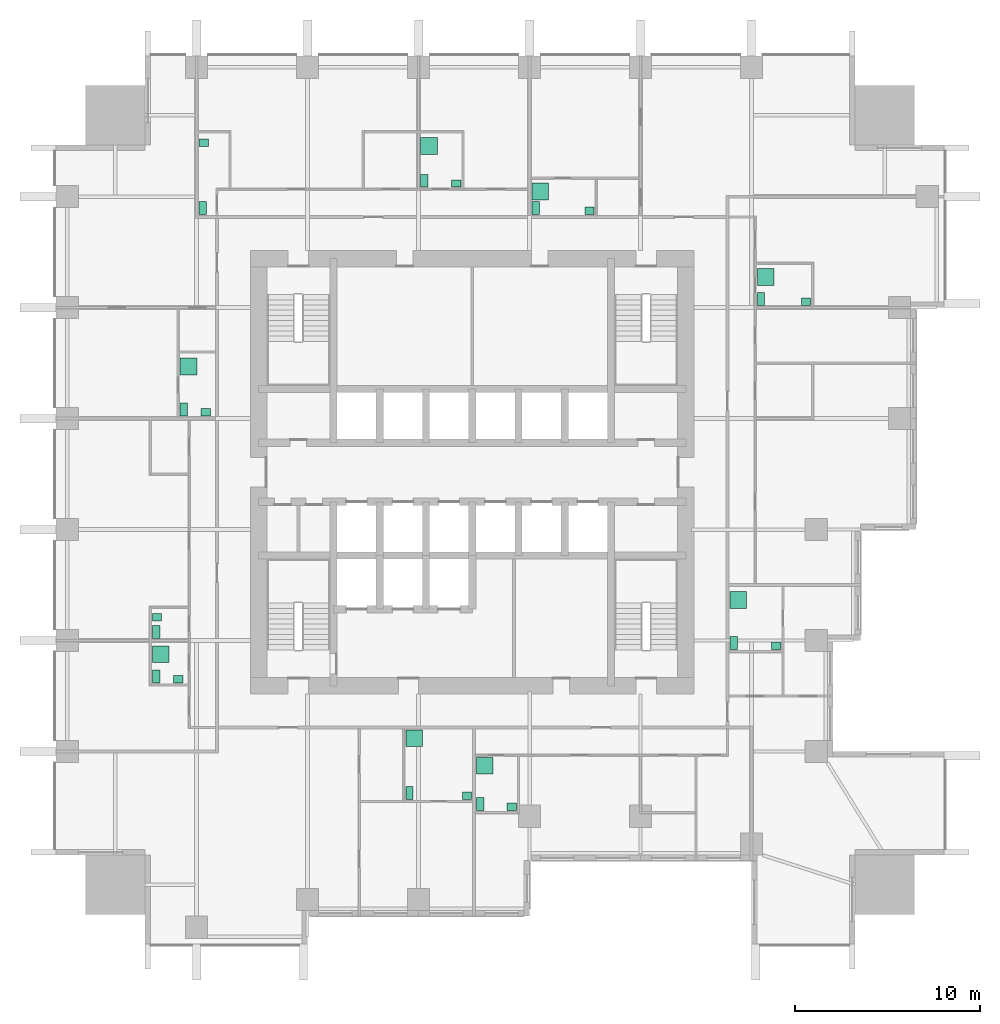
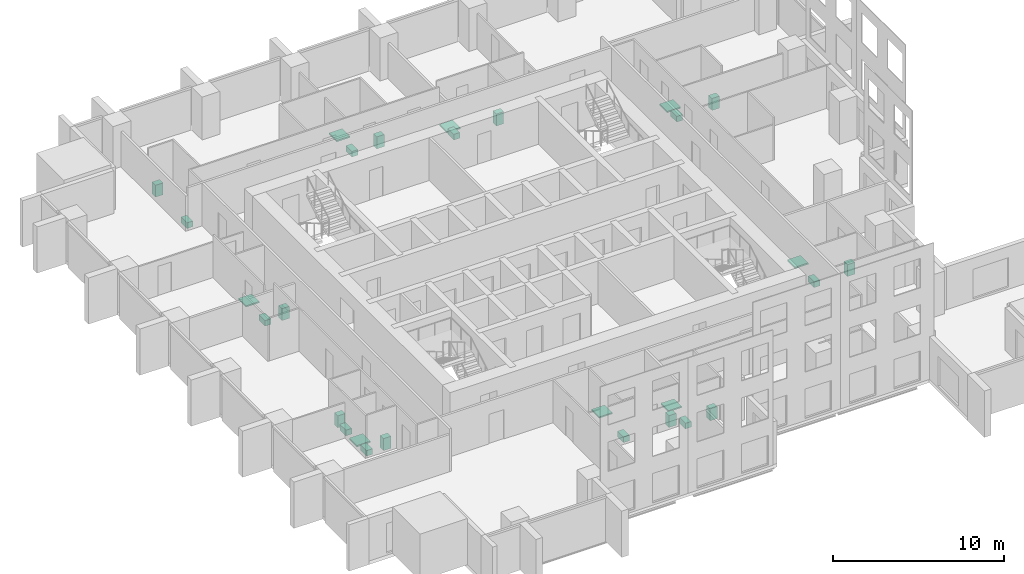
# One storey, part 11 of 11: 28 sanitary terminals.
"""IFC4 building model written with IfcOpenShell, lengths in metres."""

from ifc_helpers import new_model, si_unit, direction, frame, origin, origin_2d, place, context, subcontext, project, spatial, rectangle, extrude, element, save


model = new_model("IFC4")

# Units and contexts
model_context = context("Model", 3, precision=1e-05, world=origin(), true_north=direction((0.0, 1.0)))
body_context = subcontext(model_context, "Body", "Model", "MODEL_VIEW")
ifc_project = project(units=[si_unit("LENGTHUNIT", "METRE"), si_unit("AREAUNIT", "SQUARE_METRE"), si_unit("VOLUMEUNIT", "CUBIC_METRE"), si_unit("PLANEANGLEUNIT", "RADIAN"), si_unit("MASSUNIT", "GRAM", prefix="KILO")], contexts=[model_context])

# Site, building, storey
site_placement = place(None, origin())
site = spatial("IfcSite", under=ifc_project, at=site_placement, CompositionType="ELEMENT")
building_placement = place(site_placement, origin())
building = spatial("IfcBuilding", under=site, at=building_placement, Name="Amberfall Residences", CompositionType="ELEMENT")
storey_placement = place(building_placement, frame((0.0, 0.0, 33.39990234375)))
storey = spatial("IfcBuildingStorey", under=building, at=storey_placement, Name="L08", CompositionType="ELEMENT", Elevation=33.39990234375)

# Sanitary terminals
sanitary_terminal_1_placement = place(storey_placement, frame((71.110107421875, 28.159912109375, 0.000244140625), z_axis=(0.0, 0.0, 1.0), x_axis=(1.0, 0.0, 0.0)))
element("IfcSanitaryTerminal", 1, at=sanitary_terminal_1_placement, inside=storey, Name="Water closet 0801", PredefinedType="TOILETPAN", context=body_context, shape_type="SweptSolid", body=[
    extrude(rectangle(XDim=0.39990234375, YDim=0.699951171875, at=origin_2d()), origin(), (0.0, 0.0, 1.0), 0.39990234375),
])
sanitary_terminal_2_placement = place(storey_placement, frame((74.215087890625, 28.010009765625, 0.0), z_axis=(0.0, 0.0, 1.0), x_axis=(1.0, 0.0, 0.0)))
element("IfcSanitaryTerminal", 2, at=sanitary_terminal_2_placement, inside=storey, Name="Basin 0801", PredefinedType="WASHHANDBASIN", context=body_context, shape_type="SweptSolid", body=[
    extrude(rectangle(XDim=0.5, YDim=0.39990234375, at=origin_2d()), origin(), (0.0, 0.0, 1.0), 0.85009765625),
])
sanitary_terminal_3_placement = place(storey_placement, frame((71.360107421875, 31.114990234375, 0.0), z_axis=(0.0, 0.0, 1.0), x_axis=(1.0, 0.0, 0.0)))
element("IfcSanitaryTerminal", 3, at=sanitary_terminal_3_placement, inside=storey, Name="Shower tray 0801", PredefinedType="SHOWER", context=body_context, shape_type="SweptSolid", body=[
    extrude(rectangle(XDim=0.89990234375, YDim=0.89990234375, at=origin_2d()), origin(), (0.0, 0.0, 1.0), 0.10009765625),
])
sanitary_terminal_4_placement = place(storey_placement, frame((74.93505859375, 27.56005859375, 0.000244140625), z_axis=(0.0, 0.0, 1.0), x_axis=(1.0, 0.0, 0.0)))
element("IfcSanitaryTerminal", 4, at=sanitary_terminal_4_placement, inside=storey, Name="Water closet 0802", PredefinedType="TOILETPAN", context=body_context, shape_type="SweptSolid", body=[
    extrude(rectangle(XDim=0.39990234375, YDim=0.699951171875, at=origin_2d()), origin(), (0.0, 0.0, 1.0), 0.39990234375),
])
sanitary_terminal_5_placement = place(storey_placement, frame((76.639892578125, 27.409912109375, 0.0), z_axis=(0.0, 0.0, 1.0), x_axis=(1.0, 0.0, 0.0)))
element("IfcSanitaryTerminal", 5, at=sanitary_terminal_5_placement, inside=storey, Name="Basin 0802", PredefinedType="WASHHANDBASIN", context=body_context, shape_type="SweptSolid", body=[
    extrude(rectangle(XDim=0.5, YDim=0.39990234375, at=origin_2d()), origin(), (0.0, 0.0, 1.0), 0.85009765625),
])
sanitary_terminal_6_placement = place(storey_placement, frame((75.18505859375, 29.639892578125, 0.0), z_axis=(0.0, 0.0, 1.0), x_axis=(1.0, 0.0, 0.0)))
element("IfcSanitaryTerminal", 6, at=sanitary_terminal_6_placement, inside=storey, Name="Shower tray 0802", PredefinedType="SHOWER", context=body_context, shape_type="SweptSolid", body=[
    extrude(rectangle(XDim=0.89990234375, YDim=0.89990234375, at=origin_2d()), origin(), (0.0, 0.0, 1.0), 0.10009765625),
])
sanitary_terminal_7_placement = place(storey_placement, frame((88.635009765625, 36.260009765625, 0.000244140625), z_axis=(0.0, 0.0, 1.0), x_axis=(1.0, 0.0, 0.0)))
element("IfcSanitaryTerminal", 7, at=sanitary_terminal_7_placement, inside=storey, Name="Water closet 0803", PredefinedType="TOILETPAN", context=body_context, shape_type="SweptSolid", body=[
    extrude(rectangle(XDim=0.39990234375, YDim=0.699951171875, at=origin_2d()), origin(), (0.0, 0.0, 1.0), 0.39990234375),
])
sanitary_terminal_8_placement = place(storey_placement, frame((90.93994140625, 36.110107421875, 0.0), z_axis=(0.0, 0.0, 1.0), x_axis=(1.0, 0.0, 0.0)))
element("IfcSanitaryTerminal", 8, at=sanitary_terminal_8_placement, inside=storey, Name="Basin 0803", PredefinedType="WASHHANDBASIN", context=body_context, shape_type="SweptSolid", body=[
    extrude(rectangle(XDim=0.5, YDim=0.39990234375, at=origin_2d()), origin(), (0.0, 0.0, 1.0), 0.85009765625),
])
sanitary_terminal_9_placement = place(storey_placement, frame((88.885009765625, 38.591796875, 0.0), z_axis=(0.0, 0.0, 1.0), x_axis=(1.0, 0.0, 0.0)))
element("IfcSanitaryTerminal", 9, at=sanitary_terminal_9_placement, inside=storey, Name="Shower tray 0803", PredefinedType="SHOWER", context=body_context, shape_type="SweptSolid", body=[
    extrude(rectangle(XDim=0.89990234375, YDim=0.89990234375, at=origin_2d()), origin(), (0.0, 0.0, 1.0), 0.10009765625),
])
sanitary_terminal_10_placement = place(storey_placement, frame((90.110107421875, 54.860107421875, 0.000244140625), z_axis=(0.0, 0.0, 1.0), x_axis=(1.0, 0.0, 0.0)))
element("IfcSanitaryTerminal", 10, at=sanitary_terminal_10_placement, inside=storey, Name="Water closet 0804", PredefinedType="TOILETPAN", context=body_context, shape_type="SweptSolid", body=[
    extrude(rectangle(XDim=0.39990234375, YDim=0.699951171875, at=origin_2d()), origin(), (0.0, 0.0, 1.0), 0.39990234375),
])
sanitary_terminal_11_placement = place(storey_placement, frame((92.5400390625, 54.7099609375, 0.0), z_axis=(0.0, 0.0, 1.0), x_axis=(1.0, 0.0, 0.0)))
element("IfcSanitaryTerminal", 11, at=sanitary_terminal_11_placement, inside=storey, Name="Basin 0804", PredefinedType="WASHHANDBASIN", context=body_context, shape_type="SweptSolid", body=[
    extrude(rectangle(XDim=0.5, YDim=0.39990234375, at=origin_2d()), origin(), (0.0, 0.0, 1.0), 0.85009765625),
])
sanitary_terminal_12_placement = place(storey_placement, frame((90.360107421875, 56.05712890625, 0.0), z_axis=(0.0, 0.0, 1.0), x_axis=(1.0, 0.0, 0.0)))
element("IfcSanitaryTerminal", 12, at=sanitary_terminal_12_placement, inside=storey, Name="Shower tray 0804", PredefinedType="SHOWER", context=body_context, shape_type="SweptSolid", body=[
    extrude(rectangle(XDim=0.89990234375, YDim=0.89990234375, at=origin_2d()), origin(), (0.0, 0.0, 1.0), 0.10009765625),
])
sanitary_terminal_13_placement = place(storey_placement, frame((59.93505859375, 59.784912109375, 0.000244140625), z_axis=(0.0, 0.0, 1.0), x_axis=(1.0, 0.0, 0.0)))
element("IfcSanitaryTerminal", 13, at=sanitary_terminal_13_placement, inside=storey, Name="Water closet 0805 1", PredefinedType="TOILETPAN", context=body_context, shape_type="SweptSolid", body=[
    extrude(rectangle(XDim=0.39990234375, YDim=0.699951171875, at=origin_2d()), origin(), (0.0, 0.0, 1.0), 0.39990234375),
])
sanitary_terminal_14_placement = place(storey_placement, frame((59.985107421875, 63.3076171875, 0.0), z_axis=(0.0, 0.0, 1.0), x_axis=(1.0, 0.0, 0.0)))
element("IfcSanitaryTerminal", 14, at=sanitary_terminal_14_placement, inside=storey, Name="Basin 0805 1", PredefinedType="WASHHANDBASIN", context=body_context, shape_type="SweptSolid", body=[
    extrude(rectangle(XDim=0.5, YDim=0.39990234375, at=origin_2d()), origin(), (0.0, 0.0, 1.0), 0.85009765625),
])
sanitary_terminal_15_placement = place(storey_placement, frame((71.909912109375, 61.260009765625, 0.000244140625), z_axis=(0.0, 0.0, 1.0), x_axis=(1.0, 0.0, 0.0)))
element("IfcSanitaryTerminal", 15, at=sanitary_terminal_15_placement, inside=storey, Name="Water closet 0805", PredefinedType="TOILETPAN", context=body_context, shape_type="SweptSolid", body=[
    extrude(rectangle(XDim=0.39990234375, YDim=0.699951171875, at=origin_2d()), origin(), (0.0, 0.0, 1.0), 0.39990234375),
])
sanitary_terminal_16_placement = place(storey_placement, frame((73.639892578125, 61.110107421875, 0.0), z_axis=(0.0, 0.0, 1.0), x_axis=(1.0, 0.0, 0.0)))
element("IfcSanitaryTerminal", 16, at=sanitary_terminal_16_placement, inside=storey, Name="Basin 0805", PredefinedType="WASHHANDBASIN", context=body_context, shape_type="SweptSolid", body=[
    extrude(rectangle(XDim=0.5, YDim=0.39990234375, at=origin_2d()), origin(), (0.0, 0.0, 1.0), 0.85009765625),
])
sanitary_terminal_17_placement = place(storey_placement, frame((72.159912109375, 63.14208984375, 0.0), z_axis=(0.0, 0.0, 1.0), x_axis=(1.0, 0.0, 0.0)))
element("IfcSanitaryTerminal", 17, at=sanitary_terminal_17_placement, inside=storey, Name="Shower tray 0805", PredefinedType="SHOWER", context=body_context, shape_type="SweptSolid", body=[
    extrude(rectangle(XDim=0.89990234375, YDim=0.89990234375, at=origin_2d()), origin(), (0.0, 0.0, 1.0), 0.10009765625),
])
sanitary_terminal_18_placement = place(storey_placement, frame((77.93505859375, 59.784912109375, 0.000244140625), z_axis=(0.0, 0.0, 1.0), x_axis=(1.0, 0.0, 0.0)))
element("IfcSanitaryTerminal", 18, at=sanitary_terminal_18_placement, inside=storey, Name="Water closet 0806", PredefinedType="TOILETPAN", context=body_context, shape_type="SweptSolid", body=[
    extrude(rectangle(XDim=0.39990234375, YDim=0.699951171875, at=origin_2d()), origin(), (0.0, 0.0, 1.0), 0.39990234375),
])
sanitary_terminal_19_placement = place(storey_placement, frame((80.840087890625, 59.635009765625, 0.0), z_axis=(0.0, 0.0, 1.0), x_axis=(1.0, 0.0, 0.0)))
element("IfcSanitaryTerminal", 19, at=sanitary_terminal_19_placement, inside=storey, Name="Basin 0806", PredefinedType="WASHHANDBASIN", context=body_context, shape_type="SweptSolid", body=[
    extrude(rectangle(XDim=0.5, YDim=0.39990234375, at=origin_2d()), origin(), (0.0, 0.0, 1.0), 0.85009765625),
])
sanitary_terminal_20_placement = place(storey_placement, frame((78.18505859375, 60.680908203125, 0.0), z_axis=(0.0, 0.0, 1.0), x_axis=(1.0, 0.0, 0.0)))
element("IfcSanitaryTerminal", 20, at=sanitary_terminal_20_placement, inside=storey, Name="Shower tray 0806", PredefinedType="SHOWER", context=body_context, shape_type="SweptSolid", body=[
    extrude(rectangle(XDim=0.89990234375, YDim=0.89990234375, at=origin_2d()), origin(), (0.0, 0.0, 1.0), 0.10009765625),
])
sanitary_terminal_21_placement = place(storey_placement, frame((57.409912109375, 36.860107421875, 0.000244140625), z_axis=(0.0, 0.0, 1.0), x_axis=(1.0, 0.0, 0.0)))
element("IfcSanitaryTerminal", 21, at=sanitary_terminal_21_placement, inside=storey, Name="Water closet 0807 1", PredefinedType="TOILETPAN", context=body_context, shape_type="SweptSolid", body=[
    extrude(rectangle(XDim=0.39990234375, YDim=0.699951171875, at=origin_2d()), origin(), (0.0, 0.0, 1.0), 0.39990234375),
])
sanitary_terminal_22_placement = place(storey_placement, frame((57.4599609375, 37.654052734375, 0.0), z_axis=(0.0, 0.0, 1.0), x_axis=(1.0, 0.0, 0.0)))
element("IfcSanitaryTerminal", 22, at=sanitary_terminal_22_placement, inside=storey, Name="Basin 0807 1", PredefinedType="WASHHANDBASIN", context=body_context, shape_type="SweptSolid", body=[
    extrude(rectangle(XDim=0.5, YDim=0.39990234375, at=origin_2d()), origin(), (0.0, 0.0, 1.0), 0.85009765625),
])
sanitary_terminal_23_placement = place(storey_placement, frame((57.409912109375, 34.4599609375, 0.000244140625), z_axis=(0.0, 0.0, 1.0), x_axis=(1.0, 0.0, 0.0)))
element("IfcSanitaryTerminal", 23, at=sanitary_terminal_23_placement, inside=storey, Name="Water closet 0807", PredefinedType="TOILETPAN", context=body_context, shape_type="SweptSolid", body=[
    extrude(rectangle(XDim=0.39990234375, YDim=0.699951171875, at=origin_2d()), origin(), (0.0, 0.0, 1.0), 0.39990234375),
])
sanitary_terminal_24_placement = place(storey_placement, frame((58.610107421875, 34.31005859375, 0.0), z_axis=(0.0, 0.0, 1.0), x_axis=(1.0, 0.0, 0.0)))
element("IfcSanitaryTerminal", 24, at=sanitary_terminal_24_placement, inside=storey, Name="Basin 0807", PredefinedType="WASHHANDBASIN", context=body_context, shape_type="SweptSolid", body=[
    extrude(rectangle(XDim=0.5, YDim=0.39990234375, at=origin_2d()), origin(), (0.0, 0.0, 1.0), 0.85009765625),
])
sanitary_terminal_25_placement = place(storey_placement, frame((57.659912109375, 35.6572265625, 0.0), z_axis=(0.0, 0.0, 1.0), x_axis=(1.0, 0.0, 0.0)))
element("IfcSanitaryTerminal", 25, at=sanitary_terminal_25_placement, inside=storey, Name="Shower tray 0807", PredefinedType="SHOWER", context=body_context, shape_type="SweptSolid", body=[
    extrude(rectangle(XDim=0.89990234375, YDim=0.89990234375, at=origin_2d()), origin(), (0.0, 0.0, 1.0), 0.10009765625),
])
sanitary_terminal_26_placement = place(storey_placement, frame((58.909912109375, 48.885009765625, 0.000244140625), z_axis=(0.0, 0.0, 1.0), x_axis=(1.0, 0.0, 0.0)))
element("IfcSanitaryTerminal", 26, at=sanitary_terminal_26_placement, inside=storey, Name="Water closet 0808", PredefinedType="TOILETPAN", context=body_context, shape_type="SweptSolid", body=[
    extrude(rectangle(XDim=0.39990234375, YDim=0.699951171875, at=origin_2d()), origin(), (0.0, 0.0, 1.0), 0.39990234375),
])
sanitary_terminal_27_placement = place(storey_placement, frame((60.089111328125, 48.735107421875, 0.0), z_axis=(0.0, 0.0, 1.0), x_axis=(1.0, 0.0, 0.0)))
element("IfcSanitaryTerminal", 27, at=sanitary_terminal_27_placement, inside=storey, Name="Basin 0808", PredefinedType="WASHHANDBASIN", context=body_context, shape_type="SweptSolid", body=[
    extrude(rectangle(XDim=0.5, YDim=0.39990234375, at=origin_2d()), origin(), (0.0, 0.0, 1.0), 0.85009765625),
])
sanitary_terminal_28_placement = place(storey_placement, frame((59.159912109375, 51.216796875, 0.0), z_axis=(0.0, 0.0, 1.0), x_axis=(1.0, 0.0, 0.0)))
element("IfcSanitaryTerminal", 28, at=sanitary_terminal_28_placement, inside=storey, Name="Shower tray 0808", PredefinedType="SHOWER", context=body_context, shape_type="SweptSolid", body=[
    extrude(rectangle(XDim=0.89990234375, YDim=0.89990234375, at=origin_2d()), origin(), (0.0, 0.0, 1.0), 0.10009765625),
])

save(model, "model.ifc")
